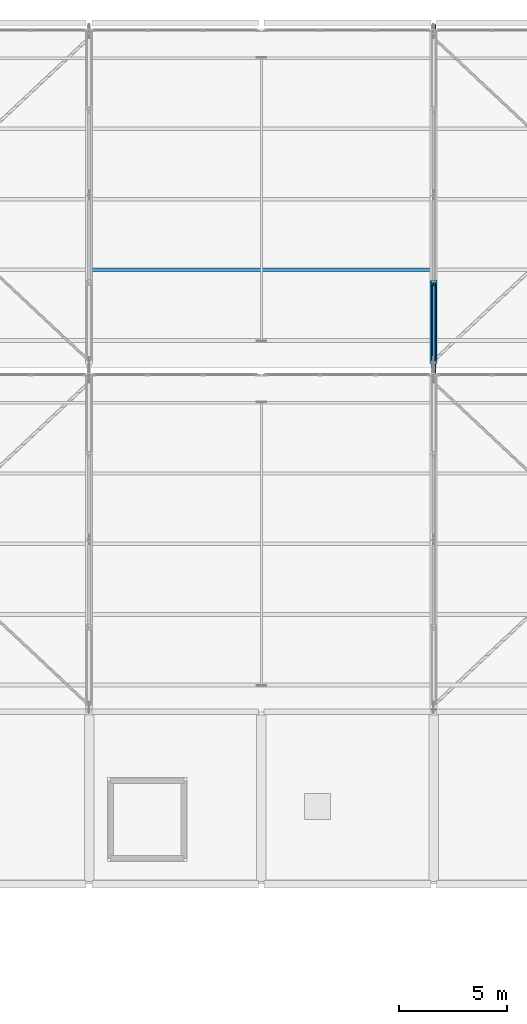
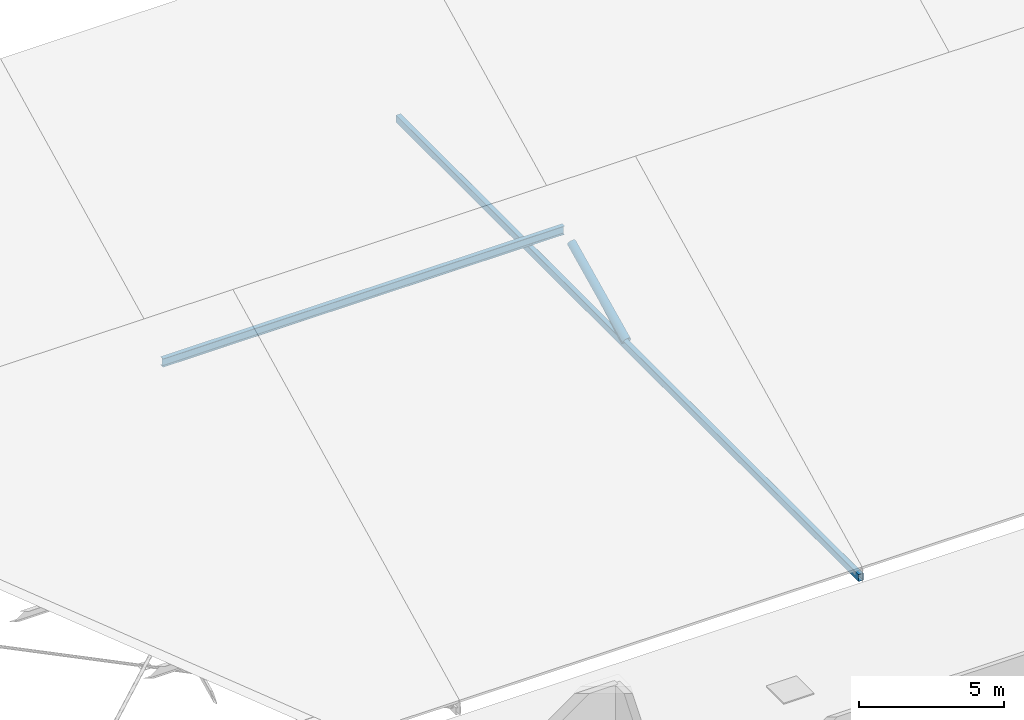
# One storey, part 46 of 137: 3 members, 1 beam.
"""IFC4 building model written with IfcOpenShell, lengths in metres."""

from ifc_helpers import new_model, si_unit, direction, frame, origin, origin_2d, place, context, subcontext, project, spatial, hollow_rectangle, hollow_circle, i_section, extrude, material, material_profile, profile_set, type_object, element, save


model = new_model("IFC4")

# Units and contexts
model_context = context("Model", 3, precision=1e-05, world=origin(), true_north=direction((0.0, 1.0)))
body_context = subcontext(model_context, "Body", "Model", "MODEL_VIEW")
ifc_project = project(units=[si_unit("LENGTHUNIT", "METRE"), si_unit("AREAUNIT", "SQUARE_METRE"), si_unit("VOLUMEUNIT", "CUBIC_METRE"), si_unit("PLANEANGLEUNIT", "RADIAN"), si_unit("MASSUNIT", "GRAM", prefix="KILO")], contexts=[model_context])

# Site, building, storey
site_placement = place(None, origin())
site = spatial("IfcSite", under=ifc_project, at=site_placement, CompositionType="ELEMENT")
building_placement = place(site_placement, origin())
building = spatial("IfcBuilding", under=site, at=building_placement, Name="Jelvoka-Kovrelna Polytechnic", CompositionType="ELEMENT")
storey_placement = place(building_placement, frame((0.0, 0.0, 9.60009765625)))
storey = spatial("IfcBuildingStorey", under=building, at=storey_placement, Name="L03", CompositionType="ELEMENT", Elevation=9.60009765625)

# Members
ifc_material_1 = material(Name="Structural steel S355J2H", Category="steel")
ifc_material_profile_1 = material_profile(ifc_material_1, hollow_circle(Radius=0.109619140625, WallThickness=0.008056640625, at=origin_2d()), Name="219.1x8.0 CHS")
ifc_profile_set_1 = profile_set([ifc_material_profile_1], Name="Structural steel S355J2H")
member_type_1 = type_object("IfcMemberType", Name="Member_Brace_CHS219", PredefinedType="BRACE", material=ifc_profile_set_1)
member_1_placement = place(storey_placement, frame((120.0, 104.340087890625, 0.14990234375), z_axis=(0.0, 0.878084029324, 0.478506465418), x_axis=(-1.0, 0.0, 0.0)))
element("IfcMember", 1, at=member_1_placement, inside=storey, type_object=member_type_1, Name="Sawtooth truss 3 diagonal web 2.1", PredefinedType="BRACE", context=body_context, shape_type="SweptSolid", body=[
    extrude(hollow_circle(Radius=0.109619140625, WallThickness=0.008056640625, at=origin_2d()), origin(), (0.0, 0.0, 1.0), 4.0087890625),
])
ifc_material_2 = material(Name="Structural steel S355J2H", Category="steel")
ifc_material_profile_2 = material_profile(ifc_material_2, hollow_circle(Radius=0.161865234375, WallThickness=0.010009765625, at=origin_2d()), Name="323.9x10.0 CHS")
ifc_profile_set_2 = profile_set([ifc_material_profile_2], Name="Structural steel S355J2H")
member_type_2 = type_object("IfcMemberType", Name="Member_Chord_CHS324", PredefinedType="CHORD", material=ifc_profile_set_2)
member_2_placement = place(storey_placement, frame((120.0, 104.199951171875, 0.31640625), z_axis=(0.0, 0.900803851837, 0.434226231952), x_axis=(-1.0, 0.0, 0.0)))
element("IfcMember", 2, at=member_2_placement, inside=storey, type_object=member_type_2, Name="Sawtooth truss 3 top chord 2.1", PredefinedType="CHORD", context=body_context, shape_type="SweptSolid", body=[
    extrude(hollow_circle(Radius=0.161865234375, WallThickness=0.010009765625, at=origin_2d()), origin(), (0.0, 0.0, 1.0), 4.218505859375),
])
ifc_material_3 = material(Name="Structural steel S355J2H", Category="steel")
ifc_material_profile_3 = material_profile(ifc_material_3, hollow_rectangle(XDim=0.199951171875, YDim=0.300048828125, WallThickness=0.010009765625, InnerFilletRadius=0.010009765625, OuterFilletRadius=0.014892578125, at=origin_2d()), Name="300x200x10.0 RHS")
ifc_profile_set_3 = profile_set([ifc_material_profile_3], Name="Structural steel S355J2H")
member_type_3 = type_object("IfcMemberType", Name="Member_Chord_RHS300", PredefinedType="CHORD", material=ifc_profile_set_3)
member_3_placement = place(storey_placement, frame((120.0, 88.080078125, 0.14990234375), z_axis=(0.0, 1.0, 0.0), x_axis=(-1.0, 0.0, 0.0)))
element("IfcMember", 3, at=member_3_placement, inside=storey, type_object=member_type_3, Name="Sawtooth truss 3 continuous bottom chord", PredefinedType="CHORD", context=body_context, shape_type="SweptSolid", body=[
    extrude(hollow_rectangle(XDim=0.199951171875, YDim=0.300048828125, WallThickness=0.010009765625, InnerFilletRadius=0.010009765625, OuterFilletRadius=0.014892578125, at=origin_2d()), origin(), (0.0, 0.0, 1.0), 31.83984375),
])

# Beam
ifc_material_4 = material(Name="Structural steel S355JR", Category="steel")
ifc_material_profile_4 = material_profile(ifc_material_4, i_section(OverallWidth=0.17138671875, OverallDepth=0.35498046875, WebThickness=0.00732421875, FlangeThickness=0.011474609375, FilletRadius=0.01025390625, at=origin_2d()), Name="356x171x51 UB")
ifc_profile_set_4 = profile_set([ifc_material_profile_4], Name="Structural steel S355JR")
beam_type = type_object("IfcBeamType", Name="Purlin_Steel_UB356", PredefinedType="JOIST", material=ifc_profile_set_4)
beam_placement = place(storey_placement, frame((104.02001953125, 108.52392578125, 2.400634765625), z_axis=(1.0, 0.0, 0.0), x_axis=(0.0, 1.0, 0.0)))
element("IfcBeam", 4, at=beam_placement, inside=storey, type_object=beam_type, Name="Sawtooth roof purlin 017", PredefinedType="JOIST", context=body_context, shape_type="SweptSolid", body=[
    extrude(i_section(OverallWidth=0.17138671875, OverallDepth=0.35498046875, WebThickness=0.00732421875, FlangeThickness=0.011474609375, FilletRadius=0.01025390625, at=origin_2d()), origin(), (0.0, 0.0, 1.0), 15.9599609375),
])

save(model, "model.ifc")
